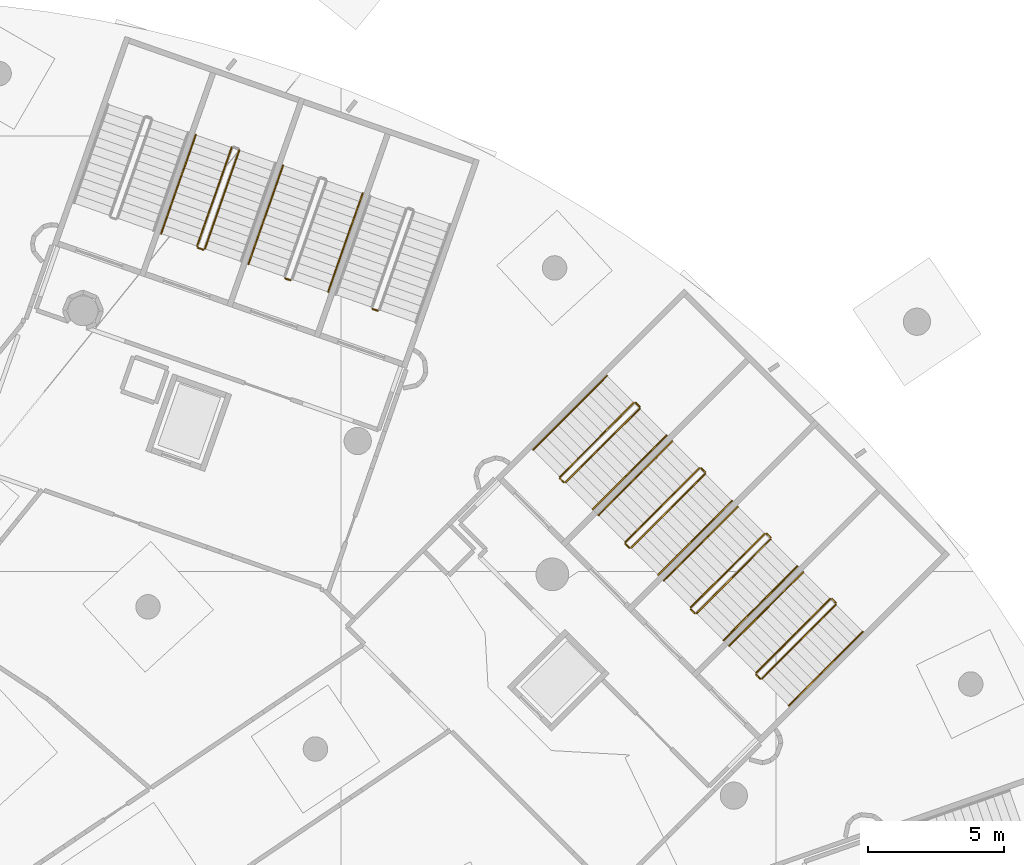
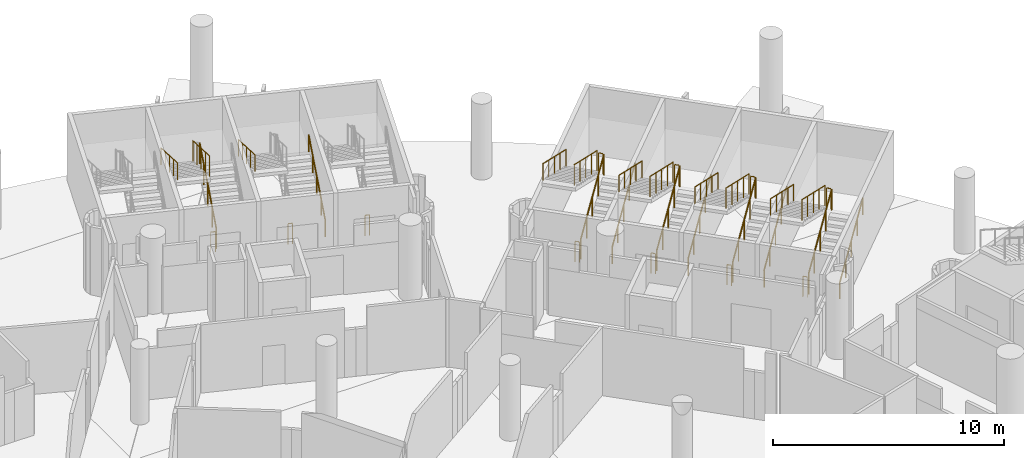
# One storey, part 140 of 142: 32 railings.
"""IFC4 building model written with IfcOpenShell, lengths in metres."""

from ifc_helpers import new_model, si_unit, direction, frame, origin, origin_2d, place, context, subcontext, project, spatial, circle, extrude, material, type_object, element, save


model = new_model("IFC4")

# Units and contexts
model_context = context("Model", 3, precision=1e-05, world=origin(), true_north=direction((0.0, 1.0)))
body_context = subcontext(model_context, "Body", "Model", "MODEL_VIEW")
ifc_project = project(units=[si_unit("LENGTHUNIT", "METRE"), si_unit("AREAUNIT", "SQUARE_METRE"), si_unit("VOLUMEUNIT", "CUBIC_METRE"), si_unit("PLANEANGLEUNIT", "RADIAN"), si_unit("MASSUNIT", "GRAM", prefix="KILO")], contexts=[model_context])

# Site, building, storey
site_placement = place(None, origin())
site = spatial("IfcSite", under=ifc_project, at=site_placement, CompositionType="ELEMENT")
building_placement = place(site_placement, origin())
building = spatial("IfcBuilding", under=site, at=building_placement, Name="Meseta Stadium", CompositionType="ELEMENT")
storey_placement = place(building_placement, frame((0.0, 0.0, -4.0)))
storey = spatial("IfcBuildingStorey", under=building, at=storey_placement, Name="B1", CompositionType="ELEMENT", Elevation=-4.0)

# Railings
ifc_material_1 = material(Name="Steel S355", Category="steel")
railing_type_1 = type_object("IfcRailingType", Name="Stair guard 1100", PredefinedType="GUARDRAIL", material=ifc_material_1)
railing_1_placement = place(storey_placement, frame((79.4814453125, 76.056884765625, 0.15380859375)))
element("IfcRailing", 1, at=railing_1_placement, inside=storey, type_object=railing_type_1, Name="ST25 B1 guard 1", PredefinedType="GUARDRAIL", context=body_context, shape_type="SweptSolid", body=[
    extrude(circle(Radius=0.02392578125, at=origin_2d()), frame((0.0, 0.0, 1.076171875), z_axis=(0.637281117052, 0.637281117052, 0.433296152414), x_axis=(-0.707106781187, 0.707106781187, 0.0)), (0.0, 0.0, 1.0), 4.2607421875),
    extrude(circle(Radius=0.02099609375, at=origin_2d()), origin(), (0.0, 0.0, 1.0), 1.052001953125),
    extrude(circle(Radius=0.02099609375, at=origin_2d()), frame((0.6787109375, 0.6787109375, 0.46142578125)), (0.0, 0.0, 1.0), 1.052001953125),
    extrude(circle(Radius=0.02099609375, at=origin_2d()), frame((1.357666015625, 1.357666015625, 0.923095703125)), (0.0, 0.0, 1.0), 1.052001953125),
    extrude(circle(Radius=0.02099609375, at=origin_2d()), frame((2.03662109375, 2.03662109375, 1.384765625)), (0.0, 0.0, 1.0), 1.052001953125),
    extrude(circle(Radius=0.02099609375, at=origin_2d()), frame((2.71533203125, 2.71533203125, 1.84619140625)), (0.0, 0.0, 1.0), 1.052001953125),
])
railing_2_placement = place(storey_placement, frame((82.19677734375, 78.8427734375, 2.0)))
element("IfcRailing", 2, at=railing_2_placement, inside=storey, type_object=railing_type_1, Name="ST25 B1 guard 2", PredefinedType="GUARDRAIL", context=body_context, shape_type="SweptSolid", body=[
    extrude(circle(Radius=0.02392578125, at=origin_2d()), frame((0.0, 0.0, 1.076171875), z_axis=(-0.706496417452, 0.707716618519, 0.0), x_axis=(-0.707716618519, -0.706496417452, 0.0)), (0.0, 0.0, 1.0), 0.2001953125),
    extrude(circle(Radius=0.02099609375, at=origin_2d()), origin(), (0.0, 0.0, 1.0), 1.052001953125),
    extrude(circle(Radius=0.02099609375, at=origin_2d()), frame((-0.141357421875, 0.1416015625, 0.0)), (0.0, 0.0, 1.0), 1.052001953125),
])
railing_3_placement = place(storey_placement, frame((81.984619140625, 78.984375, 2.15380859375)))
element("IfcRailing", 3, at=railing_3_placement, inside=storey, type_object=railing_type_1, Name="ST25 B1 guard 3", PredefinedType="GUARDRAIL", context=body_context, shape_type="SweptSolid", body=[
    extrude(circle(Radius=0.02392578125, at=origin_2d()), frame((0.0, 0.0, 1.076171875), z_axis=(-0.637281117052, -0.637281117052, 0.433296152414), x_axis=(0.707106781187, -0.707106781187, 0.0)), (0.0, 0.0, 1.0), 4.2607421875),
    extrude(circle(Radius=0.02099609375, at=origin_2d()), origin(), (0.0, 0.0, 1.0), 1.052001953125),
    extrude(circle(Radius=0.02099609375, at=origin_2d()), frame((-0.6787109375, -0.6787109375, 0.46142578125)), (0.0, 0.0, 1.0), 1.052001953125),
    extrude(circle(Radius=0.02099609375, at=origin_2d()), frame((-1.357666015625, -1.357666015625, 0.923095703125)), (0.0, 0.0, 1.0), 1.052001953125),
    extrude(circle(Radius=0.02099609375, at=origin_2d()), frame((-2.03662109375, -2.03662109375, 1.384765625)), (0.0, 0.0, 1.0), 1.052001953125),
    extrude(circle(Radius=0.02099609375, at=origin_2d()), frame((-2.71533203125, -2.71533203125, 1.84619140625)), (0.0, 0.0, 1.0), 1.052001953125),
])
railing_4_placement = place(storey_placement, frame((79.410888671875, 76.056884765625, 0.0)))
element("IfcRailing", 4, at=railing_4_placement, inside=storey, type_object=railing_type_1, Name="ST25 B1 guard 4", PredefinedType="GUARDRAIL", context=body_context, shape_type="SweptSolid", body=[
    extrude(circle(Radius=0.02392578125, at=origin_2d()), frame((0.0, 0.0, 1.076171875), z_axis=(-0.707716618519, 0.706496417452, 0.0), x_axis=(-0.706496417452, -0.707716618519, 0.0)), (0.0, 0.0, 1.0), 0.2001953125),
    extrude(circle(Radius=0.02099609375, at=origin_2d()), origin(), (0.0, 0.0, 1.0), 1.052001953125),
    extrude(circle(Radius=0.02099609375, at=origin_2d()), frame((-0.1416015625, 0.141357421875, 0.0)), (0.0, 0.0, 1.0), 1.052001953125),
])
railing_5_placement = place(storey_placement, frame((77.077392578125, 78.4609375, 0.15380859375)))
element("IfcRailing", 5, at=railing_5_placement, inside=storey, type_object=railing_type_1, Name="ST26 B1 guard 1", PredefinedType="GUARDRAIL", context=body_context, shape_type="SweptSolid", body=[
    extrude(circle(Radius=0.02392578125, at=origin_2d()), frame((0.0, 0.0, 1.076171875), z_axis=(0.637281117052, 0.637281117052, 0.433296152414), x_axis=(-0.707106781187, 0.707106781187, 0.0)), (0.0, 0.0, 1.0), 4.2607421875),
    extrude(circle(Radius=0.02099609375, at=origin_2d()), origin(), (0.0, 0.0, 1.0), 1.052001953125),
    extrude(circle(Radius=0.02099609375, at=origin_2d()), frame((0.6787109375, 0.6787109375, 0.46142578125)), (0.0, 0.0, 1.0), 1.052001953125),
    extrude(circle(Radius=0.02099609375, at=origin_2d()), frame((1.357666015625, 1.357666015625, 0.923095703125)), (0.0, 0.0, 1.0), 1.052001953125),
    extrude(circle(Radius=0.02099609375, at=origin_2d()), frame((2.03662109375, 2.03662109375, 1.384765625)), (0.0, 0.0, 1.0), 1.052001953125),
    extrude(circle(Radius=0.02099609375, at=origin_2d()), frame((2.71533203125, 2.71533203125, 1.84619140625)), (0.0, 0.0, 1.0), 1.052001953125),
])
railing_6_placement = place(storey_placement, frame((79.792724609375, 81.2470703125, 2.0)))
element("IfcRailing", 6, at=railing_6_placement, inside=storey, type_object=railing_type_1, Name="ST26 B1 guard 2", PredefinedType="GUARDRAIL", context=body_context, shape_type="SweptSolid", body=[
    extrude(circle(Radius=0.02392578125, at=origin_2d()), frame((0.0, 0.0, 1.076171875), z_axis=(-0.707716618519, 0.706496417452, 0.0), x_axis=(-0.706496417452, -0.707716618519, 0.0)), (0.0, 0.0, 1.0), 0.2001953125),
    extrude(circle(Radius=0.02099609375, at=origin_2d()), origin(), (0.0, 0.0, 1.0), 1.052001953125),
    extrude(circle(Radius=0.02099609375, at=origin_2d()), frame((-0.1416015625, 0.141357421875, 0.0)), (0.0, 0.0, 1.0), 1.052001953125),
])
railing_7_placement = place(storey_placement, frame((79.58056640625, 81.388427734375, 2.15380859375)))
element("IfcRailing", 7, at=railing_7_placement, inside=storey, type_object=railing_type_1, Name="ST26 B1 guard 3", PredefinedType="GUARDRAIL", context=body_context, shape_type="SweptSolid", body=[
    extrude(circle(Radius=0.02392578125, at=origin_2d()), frame((0.0, 0.0, 1.076171875), z_axis=(-0.637281117052, -0.637281117052, 0.433296152414), x_axis=(0.707106781187, -0.707106781187, 0.0)), (0.0, 0.0, 1.0), 4.2607421875),
    extrude(circle(Radius=0.02099609375, at=origin_2d()), origin(), (0.0, 0.0, 1.0), 1.052001953125),
    extrude(circle(Radius=0.02099609375, at=origin_2d()), frame((-0.6787109375, -0.6787109375, 0.46142578125)), (0.0, 0.0, 1.0), 1.052001953125),
    extrude(circle(Radius=0.02099609375, at=origin_2d()), frame((-1.357666015625, -1.357666015625, 0.923095703125)), (0.0, 0.0, 1.0), 1.052001953125),
    extrude(circle(Radius=0.02099609375, at=origin_2d()), frame((-2.03662109375, -2.03662109375, 1.384765625)), (0.0, 0.0, 1.0), 1.052001953125),
    extrude(circle(Radius=0.02099609375, at=origin_2d()), frame((-2.71533203125, -2.71533203125, 1.84619140625)), (0.0, 0.0, 1.0), 1.052001953125),
])
railing_8_placement = place(storey_placement, frame((77.006591796875, 78.4609375, 0.0)))
element("IfcRailing", 8, at=railing_8_placement, inside=storey, type_object=railing_type_1, Name="ST26 B1 guard 4", PredefinedType="GUARDRAIL", context=body_context, shape_type="SweptSolid", body=[
    extrude(circle(Radius=0.02392578125, at=origin_2d()), frame((0.0, 0.0, 1.076171875), z_axis=(-0.706496417452, 0.707716618519, 0.0), x_axis=(-0.707716618519, -0.706496417452, 0.0)), (0.0, 0.0, 1.0), 0.2001953125),
    extrude(circle(Radius=0.02099609375, at=origin_2d()), origin(), (0.0, 0.0, 1.0), 1.052001953125),
    extrude(circle(Radius=0.02099609375, at=origin_2d()), frame((-0.141357421875, 0.1416015625, 0.0)), (0.0, 0.0, 1.0), 1.052001953125),
])
railing_9_placement = place(storey_placement, frame((74.673095703125, 80.865234375, 0.15380859375)))
element("IfcRailing", 9, at=railing_9_placement, inside=storey, type_object=railing_type_1, Name="ST27 B1 guard 1", PredefinedType="GUARDRAIL", context=body_context, shape_type="SweptSolid", body=[
    extrude(circle(Radius=0.02392578125, at=origin_2d()), frame((0.0, 0.0, 1.076171875), z_axis=(0.637281117052, 0.637281117052, 0.433296152414), x_axis=(-0.707106781187, 0.707106781187, 0.0)), (0.0, 0.0, 1.0), 4.2607421875),
    extrude(circle(Radius=0.02099609375, at=origin_2d()), origin(), (0.0, 0.0, 1.0), 1.052001953125),
    extrude(circle(Radius=0.02099609375, at=origin_2d()), frame((0.6787109375, 0.6787109375, 0.46142578125)), (0.0, 0.0, 1.0), 1.052001953125),
    extrude(circle(Radius=0.02099609375, at=origin_2d()), frame((1.357666015625, 1.357666015625, 0.923095703125)), (0.0, 0.0, 1.0), 1.052001953125),
    extrude(circle(Radius=0.02099609375, at=origin_2d()), frame((2.03662109375, 2.03662109375, 1.384765625)), (0.0, 0.0, 1.0), 1.052001953125),
    extrude(circle(Radius=0.02099609375, at=origin_2d()), frame((2.71533203125, 2.71533203125, 1.84619140625)), (0.0, 0.0, 1.0), 1.052001953125),
])
railing_10_placement = place(storey_placement, frame((77.388427734375, 83.651123046875, 2.0)))
element("IfcRailing", 10, at=railing_10_placement, inside=storey, type_object=railing_type_1, Name="ST27 B1 guard 2", PredefinedType="GUARDRAIL", context=body_context, shape_type="SweptSolid", body=[
    extrude(circle(Radius=0.02392578125, at=origin_2d()), frame((0.0, 0.0, 1.076171875), z_axis=(-0.706496417452, 0.707716618519, 0.0), x_axis=(-0.707716618519, -0.706496417452, 0.0)), (0.0, 0.0, 1.0), 0.2001953125),
    extrude(circle(Radius=0.02099609375, at=origin_2d()), origin(), (0.0, 0.0, 1.0), 1.052001953125),
    extrude(circle(Radius=0.02099609375, at=origin_2d()), frame((-0.141357421875, 0.1416015625, 0.0)), (0.0, 0.0, 1.0), 1.052001953125),
])
railing_11_placement = place(storey_placement, frame((77.17626953125, 83.792724609375, 2.15380859375)))
element("IfcRailing", 11, at=railing_11_placement, inside=storey, type_object=railing_type_1, Name="ST27 B1 guard 3", PredefinedType="GUARDRAIL", context=body_context, shape_type="SweptSolid", body=[
    extrude(circle(Radius=0.02392578125, at=origin_2d()), frame((0.0, 0.0, 1.076171875), z_axis=(-0.637281117052, -0.637281117052, 0.433296152414), x_axis=(0.707106781187, -0.707106781187, 0.0)), (0.0, 0.0, 1.0), 4.2607421875),
    extrude(circle(Radius=0.02099609375, at=origin_2d()), origin(), (0.0, 0.0, 1.0), 1.052001953125),
    extrude(circle(Radius=0.02099609375, at=origin_2d()), frame((-0.6787109375, -0.6787109375, 0.46142578125)), (0.0, 0.0, 1.0), 1.052001953125),
    extrude(circle(Radius=0.02099609375, at=origin_2d()), frame((-1.357666015625, -1.357666015625, 0.923095703125)), (0.0, 0.0, 1.0), 1.052001953125),
    extrude(circle(Radius=0.02099609375, at=origin_2d()), frame((-2.03662109375, -2.03662109375, 1.384765625)), (0.0, 0.0, 1.0), 1.052001953125),
    extrude(circle(Radius=0.02099609375, at=origin_2d()), frame((-2.71533203125, -2.71533203125, 1.84619140625)), (0.0, 0.0, 1.0), 1.052001953125),
])
railing_12_placement = place(storey_placement, frame((74.6025390625, 80.865234375, 0.0)))
element("IfcRailing", 12, at=railing_12_placement, inside=storey, type_object=railing_type_1, Name="ST27 B1 guard 4", PredefinedType="GUARDRAIL", context=body_context, shape_type="SweptSolid", body=[
    extrude(circle(Radius=0.02392578125, at=origin_2d()), frame((0.0, 0.0, 1.076171875), z_axis=(-0.707716618519, 0.706496417452, 0.0), x_axis=(-0.706496417452, -0.707716618519, 0.0)), (0.0, 0.0, 1.0), 0.2001953125),
    extrude(circle(Radius=0.02099609375, at=origin_2d()), origin(), (0.0, 0.0, 1.0), 1.052001953125),
    extrude(circle(Radius=0.02099609375, at=origin_2d()), frame((-0.1416015625, 0.141357421875, 0.0)), (0.0, 0.0, 1.0), 1.052001953125),
])
railing_13_placement = place(storey_placement, frame((72.26904296875, 83.269287109375, 0.15380859375)))
element("IfcRailing", 13, at=railing_13_placement, inside=storey, type_object=railing_type_1, Name="ST28 B1 guard 1", PredefinedType="GUARDRAIL", context=body_context, shape_type="SweptSolid", body=[
    extrude(circle(Radius=0.02392578125, at=origin_2d()), frame((0.0, 0.0, 1.076171875), z_axis=(0.637281117052, 0.637281117052, 0.433296152414), x_axis=(-0.707106781187, 0.707106781187, 0.0)), (0.0, 0.0, 1.0), 4.2607421875),
    extrude(circle(Radius=0.02099609375, at=origin_2d()), origin(), (0.0, 0.0, 1.0), 1.052001953125),
    extrude(circle(Radius=0.02099609375, at=origin_2d()), frame((0.6787109375, 0.6787109375, 0.46142578125)), (0.0, 0.0, 1.0), 1.052001953125),
    extrude(circle(Radius=0.02099609375, at=origin_2d()), frame((1.357666015625, 1.357666015625, 0.923095703125)), (0.0, 0.0, 1.0), 1.052001953125),
    extrude(circle(Radius=0.02099609375, at=origin_2d()), frame((2.03662109375, 2.03662109375, 1.384765625)), (0.0, 0.0, 1.0), 1.052001953125),
    extrude(circle(Radius=0.02099609375, at=origin_2d()), frame((2.71533203125, 2.71533203125, 1.84619140625)), (0.0, 0.0, 1.0), 1.052001953125),
])
railing_14_placement = place(storey_placement, frame((74.984375, 86.055419921875, 2.0)))
element("IfcRailing", 14, at=railing_14_placement, inside=storey, type_object=railing_type_1, Name="ST28 B1 guard 2", PredefinedType="GUARDRAIL", context=body_context, shape_type="SweptSolid", body=[
    extrude(circle(Radius=0.02392578125, at=origin_2d()), frame((0.0, 0.0, 1.076171875), z_axis=(-0.707716618519, 0.706496417452, 0.0), x_axis=(-0.706496417452, -0.707716618519, 0.0)), (0.0, 0.0, 1.0), 0.2001953125),
    extrude(circle(Radius=0.02099609375, at=origin_2d()), origin(), (0.0, 0.0, 1.0), 1.052001953125),
    extrude(circle(Radius=0.02099609375, at=origin_2d()), frame((-0.1416015625, 0.141357421875, 0.0)), (0.0, 0.0, 1.0), 1.052001953125),
])
railing_15_placement = place(storey_placement, frame((74.772216796875, 86.19677734375, 2.15380859375)))
element("IfcRailing", 15, at=railing_15_placement, inside=storey, type_object=railing_type_1, Name="ST28 B1 guard 3", PredefinedType="GUARDRAIL", context=body_context, shape_type="SweptSolid", body=[
    extrude(circle(Radius=0.02392578125, at=origin_2d()), frame((0.0, 0.0, 1.076171875), z_axis=(-0.637281117052, -0.637281117052, 0.433296152414), x_axis=(0.707106781187, -0.707106781187, 0.0)), (0.0, 0.0, 1.0), 4.2607421875),
    extrude(circle(Radius=0.02099609375, at=origin_2d()), origin(), (0.0, 0.0, 1.0), 1.052001953125),
    extrude(circle(Radius=0.02099609375, at=origin_2d()), frame((-0.6787109375, -0.6787109375, 0.46142578125)), (0.0, 0.0, 1.0), 1.052001953125),
    extrude(circle(Radius=0.02099609375, at=origin_2d()), frame((-1.357666015625, -1.357666015625, 0.923095703125)), (0.0, 0.0, 1.0), 1.052001953125),
    extrude(circle(Radius=0.02099609375, at=origin_2d()), frame((-2.03662109375, -2.03662109375, 1.384765625)), (0.0, 0.0, 1.0), 1.052001953125),
    extrude(circle(Radius=0.02099609375, at=origin_2d()), frame((-2.71533203125, -2.71533203125, 1.84619140625)), (0.0, 0.0, 1.0), 1.052001953125),
])
railing_16_placement = place(storey_placement, frame((72.1982421875, 83.269287109375, 0.0)))
element("IfcRailing", 16, at=railing_16_placement, inside=storey, type_object=railing_type_1, Name="ST28 B1 guard 4", PredefinedType="GUARDRAIL", context=body_context, shape_type="SweptSolid", body=[
    extrude(circle(Radius=0.02392578125, at=origin_2d()), frame((0.0, 0.0, 1.076171875), z_axis=(-0.706496417452, 0.707716618519, 0.0), x_axis=(-0.707716618519, -0.706496417452, 0.0)), (0.0, 0.0, 1.0), 0.2001953125),
    extrude(circle(Radius=0.02099609375, at=origin_2d()), origin(), (0.0, 0.0, 1.0), 1.052001953125),
    extrude(circle(Radius=0.02099609375, at=origin_2d()), frame((-0.141357421875, 0.1416015625, 0.0)), (0.0, 0.0, 1.0), 1.052001953125),
])
railing_17_placement = place(storey_placement, frame((65.35791015625, 89.577392578125, 0.0)))
element("IfcRailing", 17, at=railing_17_placement, inside=storey, type_object=railing_type_1, Name="ST29 B1 guard 4", PredefinedType="GUARDRAIL", context=body_context, shape_type="SweptSolid", body=[
    extrude(circle(Radius=0.02392578125, at=origin_2d()), frame((0.0, 0.0, 1.076171875), z_axis=(-0.943686935281, 0.330839792317, 0.0), x_axis=(-0.330839792317, -0.943686935281, 0.0)), (0.0, 0.0, 1.0), 0.199951171875),
    extrude(circle(Radius=0.02099609375, at=origin_2d()), origin(), (0.0, 0.0, 1.0), 1.052001953125),
    extrude(circle(Radius=0.02099609375, at=origin_2d()), frame((-0.188720703125, 0.066162109375, 0.0)), (0.0, 0.0, 1.0), 1.052001953125),
])
railing_18_placement = place(storey_placement, frame((62.148681640625, 90.700439453125, 0.0)))
element("IfcRailing", 18, at=railing_18_placement, inside=storey, type_object=railing_type_1, Name="ST30 B1 guard 4", PredefinedType="GUARDRAIL", context=body_context, shape_type="SweptSolid", body=[
    extrude(circle(Radius=0.02392578125, at=origin_2d()), frame((0.0, 0.0, 1.076171875), z_axis=(-0.944067610699, 0.329751946816, 0.0), x_axis=(-0.329751946816, -0.944067610699, 0.0)), (0.0, 0.0, 1.0), 0.199951171875),
    extrude(circle(Radius=0.02099609375, at=origin_2d()), origin(), (0.0, 0.0, 1.0), 1.052001953125),
    extrude(circle(Radius=0.02099609375, at=origin_2d()), frame((-0.188720703125, 0.06591796875, 0.0)), (0.0, 0.0, 1.0), 1.052001953125),
])
railing_19_placement = place(storey_placement, frame((59.003173828125, 91.85400390625, 0.15380859375)))
element("IfcRailing", 19, at=railing_19_placement, inside=storey, type_object=railing_type_1, Name="ST31 B1 guard 1", PredefinedType="GUARDRAIL", context=body_context, shape_type="SweptSolid", body=[
    extrude(circle(Radius=0.02392578125, at=origin_2d()), frame((0.0, 0.0, 1.076171875), z_axis=(0.29767201574, 0.85067155836, 0.433300439467), x_axis=(-0.9438801606, 0.330288120323, 0.0)), (0.0, 0.0, 1.0), 4.2607421875),
    extrude(circle(Radius=0.02099609375, at=origin_2d()), origin(), (0.0, 0.0, 1.0), 1.052001953125),
    extrude(circle(Radius=0.02099609375, at=origin_2d()), frame((0.317138671875, 0.90625, 0.46142578125)), (0.0, 0.0, 1.0), 1.052001953125),
    extrude(circle(Radius=0.02099609375, at=origin_2d()), frame((0.63427734375, 1.812255859375, 0.923095703125)), (0.0, 0.0, 1.0), 1.052001953125),
    extrude(circle(Radius=0.02099609375, at=origin_2d()), frame((0.951171875, 2.71826171875, 1.384765625)), (0.0, 0.0, 1.0), 1.052001953125),
    extrude(circle(Radius=0.02099609375, at=origin_2d()), frame((1.268310546875, 3.62451171875, 1.84619140625)), (0.0, 0.0, 1.0), 1.052001953125),
])
railing_20_placement = place(storey_placement, frame((59.98828125, 95.57763671875, 2.15380859375)))
element("IfcRailing", 20, at=railing_20_placement, inside=storey, type_object=railing_type_1, Name="ST31 B1 guard 3", PredefinedType="GUARDRAIL", context=body_context, shape_type="SweptSolid", body=[
    extrude(circle(Radius=0.02392578125, at=origin_2d()), frame((0.0, 0.0, 1.076171875), z_axis=(-0.29767201574, -0.85067155836, 0.433300439467), x_axis=(0.9438801606, -0.330288120323, 0.0)), (0.0, 0.0, 1.0), 4.2607421875),
    extrude(circle(Radius=0.02099609375, at=origin_2d()), origin(), (0.0, 0.0, 1.0), 1.052001953125),
    extrude(circle(Radius=0.02099609375, at=origin_2d()), frame((-0.317138671875, -0.90625, 0.46142578125)), (0.0, 0.0, 1.0), 1.052001953125),
    extrude(circle(Radius=0.02099609375, at=origin_2d()), frame((-0.63427734375, -1.812255859375, 0.923095703125)), (0.0, 0.0, 1.0), 1.052001953125),
    extrude(circle(Radius=0.02099609375, at=origin_2d()), frame((-0.951171875, -2.71826171875, 1.384765625)), (0.0, 0.0, 1.0), 1.052001953125),
    extrude(circle(Radius=0.02099609375, at=origin_2d()), frame((-1.268310546875, -3.62451171875, 1.84619140625)), (0.0, 0.0, 1.0), 1.052001953125),
])
railing_21_placement = place(storey_placement, frame((58.939453125, 91.8232421875, 0.0)))
element("IfcRailing", 21, at=railing_21_placement, inside=storey, type_object=railing_type_1, Name="ST31 B1 guard 4", PredefinedType="GUARDRAIL", context=body_context, shape_type="SweptSolid", body=[
    extrude(circle(Radius=0.02392578125, at=origin_2d()), frame((0.0, 0.0, 1.076171875), z_axis=(-0.943686935281, 0.330839792317, 0.0), x_axis=(-0.330839792317, -0.943686935281, 0.0)), (0.0, 0.0, 1.0), 0.199951171875),
    extrude(circle(Radius=0.02099609375, at=origin_2d()), origin(), (0.0, 0.0, 1.0), 1.052001953125),
    extrude(circle(Radius=0.02099609375, at=origin_2d()), frame((-0.188720703125, 0.066162109375, 0.0)), (0.0, 0.0, 1.0), 1.052001953125),
])
ifc_material_2 = material(Name="Steel S355", Category="steel")
railing_type_2 = type_object("IfcRailingType", Name="Stair handrail 900", PredefinedType="HANDRAIL", material=ifc_material_2)
railing_22_placement = place(storey_placement, frame((80.471435546875, 75.06689453125, 0.15380859375)))
element("IfcRailing", 22, at=railing_22_placement, inside=storey, type_object=railing_type_2, Name="ST25 B1 handrail 1", PredefinedType="HANDRAIL", context=body_context, shape_type="SweptSolid", body=[
    extrude(circle(Radius=0.02392578125, at=origin_2d()), frame((0.0, 0.0, 0.8759765625), z_axis=(0.637281117052, 0.637281117052, 0.433296152414), x_axis=(-0.707106781187, 0.707106781187, 0.0)), (0.0, 0.0, 1.0), 4.2607421875),
    extrude(circle(Radius=0.02099609375, at=origin_2d()), origin(), (0.0, 0.0, 1.0), 0.851806640625),
    extrude(circle(Radius=0.02099609375, at=origin_2d()), frame((0.6787109375, 0.6787109375, 0.46142578125)), (0.0, 0.0, 1.0), 0.851806640625),
    extrude(circle(Radius=0.02099609375, at=origin_2d()), frame((1.357666015625, 1.357666015625, 0.923095703125)), (0.0, 0.0, 1.0), 0.851806640625),
    extrude(circle(Radius=0.02099609375, at=origin_2d()), frame((2.03662109375, 2.03662109375, 1.384765625)), (0.0, 0.0, 1.0), 0.851806640625),
    extrude(circle(Radius=0.02099609375, at=origin_2d()), frame((2.71533203125, 2.71533203125, 1.84619140625)), (0.0, 0.0, 1.0), 0.851806640625),
])
railing_23_placement = place(storey_placement, frame((80.99462890625, 79.974365234375, 2.15380859375)))
element("IfcRailing", 23, at=railing_23_placement, inside=storey, type_object=railing_type_2, Name="ST25 B1 handrail 2", PredefinedType="HANDRAIL", context=body_context, shape_type="SweptSolid", body=[
    extrude(circle(Radius=0.02392578125, at=origin_2d()), frame((0.0, 0.0, 0.8759765625), z_axis=(-0.637247086785, -0.637304388024, 0.433311974666), x_axis=(0.707138570553, -0.707074990391, 0.0)), (0.0, 0.0, 1.0), 4.2607421875),
    extrude(circle(Radius=0.02099609375, at=origin_2d()), origin(), (0.0, 0.0, 1.0), 0.851806640625),
    extrude(circle(Radius=0.02099609375, at=origin_2d()), frame((-0.6787109375, -0.6787109375, 0.46142578125)), (0.0, 0.0, 1.0), 0.851806640625),
    extrude(circle(Radius=0.02099609375, at=origin_2d()), frame((-1.357421875, -1.357666015625, 0.923095703125)), (0.0, 0.0, 1.0), 0.851806640625),
    extrude(circle(Radius=0.02099609375, at=origin_2d()), frame((-2.036376953125, -2.03662109375, 1.384765625)), (0.0, 0.0, 1.0), 0.851806640625),
    extrude(circle(Radius=0.02099609375, at=origin_2d()), frame((-2.715087890625, -2.71533203125, 1.84619140625)), (0.0, 0.0, 1.0), 0.851806640625),
])
railing_24_placement = place(storey_placement, frame((78.0673828125, 77.47119140625, 0.15380859375)))
element("IfcRailing", 24, at=railing_24_placement, inside=storey, type_object=railing_type_2, Name="ST26 B1 handrail 1", PredefinedType="HANDRAIL", context=body_context, shape_type="SweptSolid", body=[
    extrude(circle(Radius=0.02392578125, at=origin_2d()), frame((0.0, 0.0, 0.8759765625), z_axis=(0.637270358214, 0.637270358214, 0.433327798652), x_axis=(-0.707106781187, 0.707106781187, 0.0)), (0.0, 0.0, 1.0), 4.260498046875),
    extrude(circle(Radius=0.02099609375, at=origin_2d()), origin(), (0.0, 0.0, 1.0), 0.851806640625),
    extrude(circle(Radius=0.02099609375, at=origin_2d()), frame((0.6787109375, 0.6787109375, 0.46142578125)), (0.0, 0.0, 1.0), 0.851806640625),
    extrude(circle(Radius=0.02099609375, at=origin_2d()), frame((1.357421875, 1.357421875, 0.923095703125)), (0.0, 0.0, 1.0), 0.851806640625),
    extrude(circle(Radius=0.02099609375, at=origin_2d()), frame((2.036376953125, 2.036376953125, 1.384765625)), (0.0, 0.0, 1.0), 0.851806640625),
    extrude(circle(Radius=0.02099609375, at=origin_2d()), frame((2.715087890625, 2.715087890625, 1.84619140625)), (0.0, 0.0, 1.0), 0.851806640625),
])
railing_25_placement = place(storey_placement, frame((78.590576171875, 82.37841796875, 2.15380859375)))
element("IfcRailing", 25, at=railing_25_placement, inside=storey, type_object=railing_type_2, Name="ST26 B1 handrail 2", PredefinedType="HANDRAIL", context=body_context, shape_type="SweptSolid", body=[
    extrude(circle(Radius=0.02392578125, at=origin_2d()), frame((0.0, 0.0, 0.8759765625), z_axis=(-0.637281117052, -0.637281117052, 0.433296152414), x_axis=(0.707106781187, -0.707106781187, 0.0)), (0.0, 0.0, 1.0), 4.2607421875),
    extrude(circle(Radius=0.02099609375, at=origin_2d()), origin(), (0.0, 0.0, 1.0), 0.851806640625),
    extrude(circle(Radius=0.02099609375, at=origin_2d()), frame((-0.6787109375, -0.6787109375, 0.46142578125)), (0.0, 0.0, 1.0), 0.851806640625),
    extrude(circle(Radius=0.02099609375, at=origin_2d()), frame((-1.357666015625, -1.357666015625, 0.923095703125)), (0.0, 0.0, 1.0), 0.851806640625),
    extrude(circle(Radius=0.02099609375, at=origin_2d()), frame((-2.03662109375, -2.03662109375, 1.384765625)), (0.0, 0.0, 1.0), 0.851806640625),
    extrude(circle(Radius=0.02099609375, at=origin_2d()), frame((-2.71533203125, -2.71533203125, 1.84619140625)), (0.0, 0.0, 1.0), 0.851806640625),
])
railing_26_placement = place(storey_placement, frame((75.6630859375, 79.875244140625, 0.15380859375)))
element("IfcRailing", 26, at=railing_26_placement, inside=storey, type_object=railing_type_2, Name="ST27 B1 handrail 1", PredefinedType="HANDRAIL", context=body_context, shape_type="SweptSolid", body=[
    extrude(circle(Radius=0.02392578125, at=origin_2d()), frame((0.0, 0.0, 0.8759765625), z_axis=(0.637281117052, 0.637281117052, 0.433296152414), x_axis=(-0.707106781187, 0.707106781187, 0.0)), (0.0, 0.0, 1.0), 4.2607421875),
    extrude(circle(Radius=0.02099609375, at=origin_2d()), origin(), (0.0, 0.0, 1.0), 0.851806640625),
    extrude(circle(Radius=0.02099609375, at=origin_2d()), frame((0.6787109375, 0.6787109375, 0.46142578125)), (0.0, 0.0, 1.0), 0.851806640625),
    extrude(circle(Radius=0.02099609375, at=origin_2d()), frame((1.357666015625, 1.357666015625, 0.923095703125)), (0.0, 0.0, 1.0), 0.851806640625),
    extrude(circle(Radius=0.02099609375, at=origin_2d()), frame((2.03662109375, 2.03662109375, 1.384765625)), (0.0, 0.0, 1.0), 0.851806640625),
    extrude(circle(Radius=0.02099609375, at=origin_2d()), frame((2.71533203125, 2.71533203125, 1.84619140625)), (0.0, 0.0, 1.0), 0.851806640625),
])
railing_27_placement = place(storey_placement, frame((76.186279296875, 84.782470703125, 2.15380859375)))
element("IfcRailing", 27, at=railing_27_placement, inside=storey, type_object=railing_type_2, Name="ST27 B1 handrail 2", PredefinedType="HANDRAIL", context=body_context, shape_type="SweptSolid", body=[
    extrude(circle(Radius=0.02392578125, at=origin_2d()), frame((0.0, 0.0, 0.8759765625), z_axis=(-0.637270358214, -0.637270358214, 0.433327798652), x_axis=(0.707106781187, -0.707106781187, 0.0)), (0.0, 0.0, 1.0), 4.260498046875),
    extrude(circle(Radius=0.02099609375, at=origin_2d()), origin(), (0.0, 0.0, 1.0), 0.851806640625),
    extrude(circle(Radius=0.02099609375, at=origin_2d()), frame((-0.6787109375, -0.6787109375, 0.46142578125)), (0.0, 0.0, 1.0), 0.851806640625),
    extrude(circle(Radius=0.02099609375, at=origin_2d()), frame((-1.357421875, -1.357421875, 0.923095703125)), (0.0, 0.0, 1.0), 0.851806640625),
    extrude(circle(Radius=0.02099609375, at=origin_2d()), frame((-2.036376953125, -2.036376953125, 1.384765625)), (0.0, 0.0, 1.0), 0.851806640625),
    extrude(circle(Radius=0.02099609375, at=origin_2d()), frame((-2.715087890625, -2.715087890625, 1.84619140625)), (0.0, 0.0, 1.0), 0.851806640625),
])
railing_28_placement = place(storey_placement, frame((73.259033203125, 82.279541015625, 0.15380859375)))
element("IfcRailing", 28, at=railing_28_placement, inside=storey, type_object=railing_type_2, Name="ST28 B1 handrail 1", PredefinedType="HANDRAIL", context=body_context, shape_type="SweptSolid", body=[
    extrude(circle(Radius=0.02392578125, at=origin_2d()), frame((0.0, 0.0, 0.8759765625), z_axis=(0.637304388024, 0.637247086785, 0.433311974666), x_axis=(-0.707074990391, 0.707138570553, 0.0)), (0.0, 0.0, 1.0), 4.2607421875),
    extrude(circle(Radius=0.02099609375, at=origin_2d()), origin(), (0.0, 0.0, 1.0), 0.851806640625),
    extrude(circle(Radius=0.02099609375, at=origin_2d()), frame((0.6787109375, 0.6787109375, 0.46142578125)), (0.0, 0.0, 1.0), 0.851806640625),
    extrude(circle(Radius=0.02099609375, at=origin_2d()), frame((1.357666015625, 1.357421875, 0.923095703125)), (0.0, 0.0, 1.0), 0.851806640625),
    extrude(circle(Radius=0.02099609375, at=origin_2d()), frame((2.03662109375, 2.036376953125, 1.384765625)), (0.0, 0.0, 1.0), 0.851806640625),
    extrude(circle(Radius=0.02099609375, at=origin_2d()), frame((2.71533203125, 2.715087890625, 1.84619140625)), (0.0, 0.0, 1.0), 0.851806640625),
])
railing_29_placement = place(storey_placement, frame((73.7822265625, 87.186767578125, 2.15380859375)))
element("IfcRailing", 29, at=railing_29_placement, inside=storey, type_object=railing_type_2, Name="ST28 B1 handrail 2", PredefinedType="HANDRAIL", context=body_context, shape_type="SweptSolid", body=[
    extrude(circle(Radius=0.02392578125, at=origin_2d()), frame((0.0, 0.0, 0.8759765625), z_axis=(-0.637281117052, -0.637281117052, 0.433296152414), x_axis=(0.707106781187, -0.707106781187, 0.0)), (0.0, 0.0, 1.0), 4.2607421875),
    extrude(circle(Radius=0.02099609375, at=origin_2d()), origin(), (0.0, 0.0, 1.0), 0.851806640625),
    extrude(circle(Radius=0.02099609375, at=origin_2d()), frame((-0.6787109375, -0.6787109375, 0.46142578125)), (0.0, 0.0, 1.0), 0.851806640625),
    extrude(circle(Radius=0.02099609375, at=origin_2d()), frame((-1.357666015625, -1.357666015625, 0.923095703125)), (0.0, 0.0, 1.0), 0.851806640625),
    extrude(circle(Radius=0.02099609375, at=origin_2d()), frame((-2.03662109375, -2.03662109375, 1.384765625)), (0.0, 0.0, 1.0), 0.851806640625),
    extrude(circle(Radius=0.02099609375, at=origin_2d()), frame((-2.71533203125, -2.71533203125, 1.84619140625)), (0.0, 0.0, 1.0), 0.851806640625),
])
railing_30_placement = place(storey_placement, frame((63.533935546875, 90.268798828125, 0.15380859375)))
element("IfcRailing", 30, at=railing_30_placement, inside=storey, type_object=railing_type_2, Name="ST30 B1 handrail 1", PredefinedType="HANDRAIL", context=body_context, shape_type="SweptSolid", body=[
    extrude(circle(Radius=0.02392578125, at=origin_2d()), frame((0.0, 0.0, 0.8759765625), z_axis=(0.297619791939, 0.850686066833, 0.433307829543), x_axis=(-0.943899979935, 0.330231476208, 0.0)), (0.0, 0.0, 1.0), 4.2607421875),
    extrude(circle(Radius=0.02099609375, at=origin_2d()), origin(), (0.0, 0.0, 1.0), 0.851806640625),
    extrude(circle(Radius=0.02099609375, at=origin_2d()), frame((0.31689453125, 0.90625, 0.46142578125)), (0.0, 0.0, 1.0), 0.851806640625),
    extrude(circle(Radius=0.02099609375, at=origin_2d()), frame((0.634033203125, 1.812255859375, 0.923095703125)), (0.0, 0.0, 1.0), 0.851806640625),
    extrude(circle(Radius=0.02099609375, at=origin_2d()), frame((0.951171875, 2.71826171875, 1.384765625)), (0.0, 0.0, 1.0), 0.851806640625),
    extrude(circle(Radius=0.02099609375, at=origin_2d()), frame((1.26806640625, 3.62451171875, 1.84619140625)), (0.0, 0.0, 1.0), 0.851806640625),
])
railing_31_placement = place(storey_placement, frame((61.8759765625, 94.9169921875, 2.15380859375)))
element("IfcRailing", 31, at=railing_31_placement, inside=storey, type_object=railing_type_2, Name="ST30 B1 handrail 2", PredefinedType="HANDRAIL", context=body_context, shape_type="SweptSolid", body=[
    extrude(circle(Radius=0.02392578125, at=origin_2d()), frame((0.0, 0.0, 0.8759765625), z_axis=(-0.297619791939, -0.850686066833, 0.433307829543), x_axis=(0.943899979935, -0.330231476208, 0.0)), (0.0, 0.0, 1.0), 4.2607421875),
    extrude(circle(Radius=0.02099609375, at=origin_2d()), origin(), (0.0, 0.0, 1.0), 0.851806640625),
    extrude(circle(Radius=0.02099609375, at=origin_2d()), frame((-0.31689453125, -0.90625, 0.46142578125)), (0.0, 0.0, 1.0), 0.851806640625),
    extrude(circle(Radius=0.02099609375, at=origin_2d()), frame((-0.634033203125, -1.812255859375, 0.923095703125)), (0.0, 0.0, 1.0), 0.851806640625),
    extrude(circle(Radius=0.02099609375, at=origin_2d()), frame((-0.951171875, -2.71826171875, 1.384765625)), (0.0, 0.0, 1.0), 0.851806640625),
    extrude(circle(Radius=0.02099609375, at=origin_2d()), frame((-1.26806640625, -3.62451171875, 1.84619140625)), (0.0, 0.0, 1.0), 0.851806640625),
])
railing_32_placement = place(storey_placement, frame((58.6669921875, 96.0400390625, 2.15380859375)))
element("IfcRailing", 32, at=railing_32_placement, inside=storey, type_object=railing_type_2, Name="ST31 B1 handrail 2", PredefinedType="HANDRAIL", context=body_context, shape_type="SweptSolid", body=[
    extrude(circle(Radius=0.02392578125, at=origin_2d()), frame((0.0, 0.0, 0.8759765625), z_axis=(-0.29767201574, -0.85067155836, 0.433300439467), x_axis=(0.9438801606, -0.330288120323, 0.0)), (0.0, 0.0, 1.0), 4.2607421875),
    extrude(circle(Radius=0.02099609375, at=origin_2d()), origin(), (0.0, 0.0, 1.0), 0.851806640625),
    extrude(circle(Radius=0.02099609375, at=origin_2d()), frame((-0.317138671875, -0.90625, 0.46142578125)), (0.0, 0.0, 1.0), 0.851806640625),
    extrude(circle(Radius=0.02099609375, at=origin_2d()), frame((-0.63427734375, -1.812255859375, 0.923095703125)), (0.0, 0.0, 1.0), 0.851806640625),
    extrude(circle(Radius=0.02099609375, at=origin_2d()), frame((-0.951171875, -2.71826171875, 1.384765625)), (0.0, 0.0, 1.0), 0.851806640625),
    extrude(circle(Radius=0.02099609375, at=origin_2d()), frame((-1.268310546875, -3.62451171875, 1.84619140625)), (0.0, 0.0, 1.0), 0.851806640625),
])

save(model, "model.ifc")
